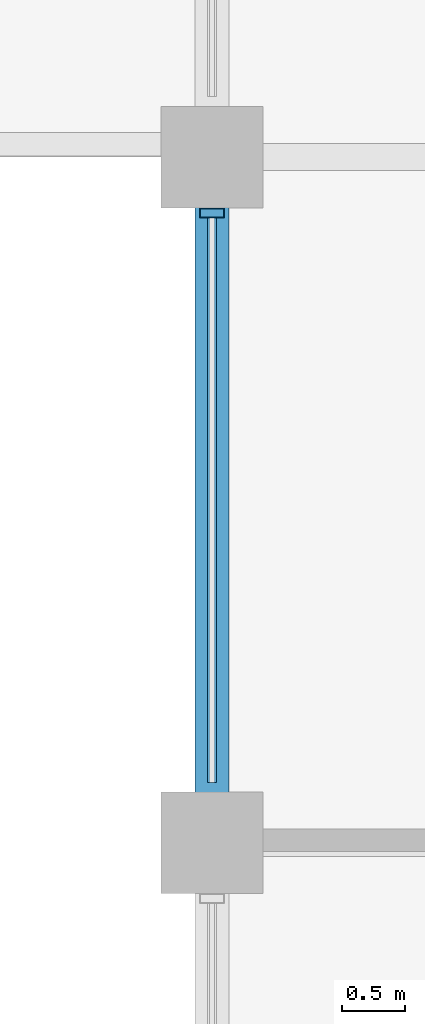
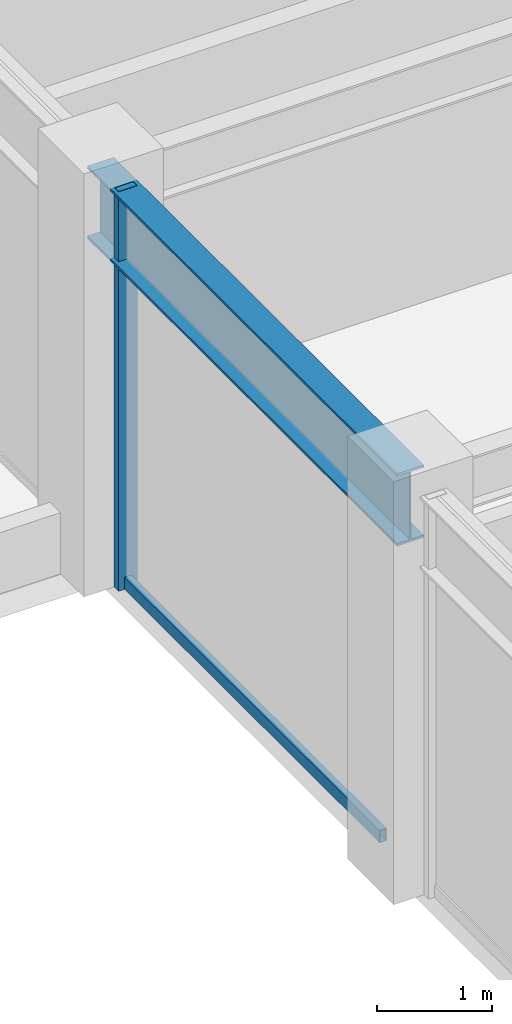
# One storey, part 6 of 28: 2 members, 1 beam, 1 element without a shape of its own.
"""IFC4 building model written with IfcOpenShell, lengths in metres."""

from ifc_helpers import new_model, si_unit, direction, frame, origin, origin_2d, place, context, subcontext, project, spatial, hollow_rectangle, i_section, extrude, material, layer, layer_set, material_profile, profile_set, type_object, element, aggregate, save


model = new_model("IFC4")

# Units and contexts
model_context = context("Model", 3, precision=1e-05, world=origin(), true_north=direction((0.0, 1.0)))
body_context = subcontext(model_context, "Body", "Model", "MODEL_VIEW")
ifc_project = project(units=[si_unit("LENGTHUNIT", "METRE"), si_unit("AREAUNIT", "SQUARE_METRE"), si_unit("VOLUMEUNIT", "CUBIC_METRE"), si_unit("PLANEANGLEUNIT", "RADIAN"), si_unit("MASSUNIT", "GRAM", prefix="KILO")], contexts=[model_context])

# Site, building, storey
site_placement = place(None, origin())
site = spatial("IfcSite", under=ifc_project, at=site_placement, CompositionType="ELEMENT")
building_placement = place(site_placement, origin())
building = spatial("IfcBuilding", under=site, at=building_placement, Name="Surkhivell Harbour Commons", CompositionType="ELEMENT")
storey_placement = place(building_placement, frame((0.0, 0.0, 249.75)))
storey = spatial("IfcBuildingStorey", under=building, at=storey_placement, Name="L65", CompositionType="ELEMENT", Elevation=249.75)

# Beam
ifc_material_1 = material(Name="Steel S355", Category="steel")
ifc_material_profile_1 = material_profile(ifc_material_1, i_section(OverallWidth=0.26806640625, OverallDepth=0.77001953125, WebThickness=0.015625, FlangeThickness=0.025390625, at=origin_2d()), Name="UB762x267x197")
ifc_profile_set_1 = profile_set([ifc_material_profile_1], Name="Steel S355")
beam_type = type_object("IfcBeamType", Name="BM-SPN-762", PredefinedType="SPANDREL", material=ifc_profile_set_1)
beam_placement = place(storey_placement, frame((-27.0, -5.39990234375, 3.864990234375), z_axis=(0.0, 1.0, 0.0), x_axis=(-1.0, 0.0, 0.0)))
element("IfcBeam", 1, at=beam_placement, inside=storey, type_object=beam_type, Name="L65 Tube Spandrel (-27.0,-5.4)", PredefinedType="SPANDREL", context=body_context, shape_type="SweptSolid", body=[
    extrude(i_section(OverallWidth=0.26806640625, OverallDepth=0.77001953125, WebThickness=0.015625, FlangeThickness=0.025390625, at=origin_2d()), origin(), (0.0, 0.0, 1.0), 5.39990234375),
])

# Curtain wall, members
ifc_material_2 = material(Name="Anodised pale-metal aluminium and insulated glazing", Category="aluminium")
ifc_layer = layer(ifc_material_2, 0.18994140625)
ifc_layer_set = layer_set([ifc_layer], Name="Anodised pale-metal aluminium and insulated glazing")
curtain_wall_type = type_object("IfcCurtainWallType", Name="CW-SYS-Z3", PredefinedType="NOTDEFINED", material=ifc_layer_set)
curtain_wall_placement = place(storey_placement, origin())
curtain_wall = element("IfcCurtainWall", 2, at=curtain_wall_placement, inside=storey, type_object=curtain_wall_type, Name="L65 Curtain Wall CW-L65-E12S1", PredefinedType="NOTDEFINED")
ifc_material_3 = material(Name="Anodised pale-metal aluminium alloy 6063-T6", Category="aluminium")
ifc_material_profile_2 = material_profile(ifc_material_3, hollow_rectangle(XDim=0.074951171875, YDim=0.18994140625, WallThickness=0.00390625, at=origin_2d()), Name="ALU-MULL-75x190")
ifc_profile_set_2 = profile_set([ifc_material_profile_2], Name="Anodised pale-metal aluminium alloy 6063-T6")
member_type_1 = type_object("IfcMemberType", Name="CWM-190", PredefinedType="MULLION", material=ifc_profile_set_2)
member_1_placement = place(storey_placement, frame((-27.0, -0.439453125, 0.0), z_axis=(0.0, 0.0, 1.0), x_axis=(0.0, -1.0, 0.0)))
member_1 = element("IfcMember", 3, at=member_1_placement, type_object=member_type_1, Name="CW-Z3 mullion 5", PredefinedType="MULLION", context=body_context, shape_type="SweptSolid", body=[
    extrude(hollow_rectangle(XDim=0.074951171875, YDim=0.18994140625, WallThickness=0.00390625, at=origin_2d()), origin(), (0.0, 0.0, 1.0), 4.25),
])
ifc_material_4 = material(Name="Champagne anodised aluminium alloy 6063-T6", Category="aluminium")
ifc_material_profile_3 = material_profile(ifc_material_4, hollow_rectangle(XDim=0.070068359375, YDim=0.1298828125, WallThickness=0.00341796875, at=origin_2d()), Name="ALU-TRAN-70x130")
ifc_profile_set_3 = profile_set([ifc_material_profile_3], Name="Champagne anodised aluminium alloy 6063-T6")
member_type_2 = type_object("IfcMemberType", Name="CWT-130", PredefinedType="USERDEFINED", material=ifc_profile_set_3)
member_2_placement = place(storey_placement, frame((-27.0, -0.47705078125, 0.06494140625), z_axis=(0.0, -1.0, 0.0), x_axis=(1.0, 0.0, 0.0)))
member_2 = element("IfcMember", 4, at=member_2_placement, type_object=member_type_2, Name="CW-Z3 transom 5.1", ObjectType="TRANSOM", PredefinedType="USERDEFINED", context=body_context, shape_type="SweptSolid", body=[
    extrude(hollow_rectangle(XDim=0.070068359375, YDim=0.1298828125, WallThickness=0.00341796875, at=origin_2d()), origin(), (0.0, 0.0, 1.0), 4.446044921875),
])
aggregate(curtain_wall, [member_1, member_2])

save(model, "model.ifc")
